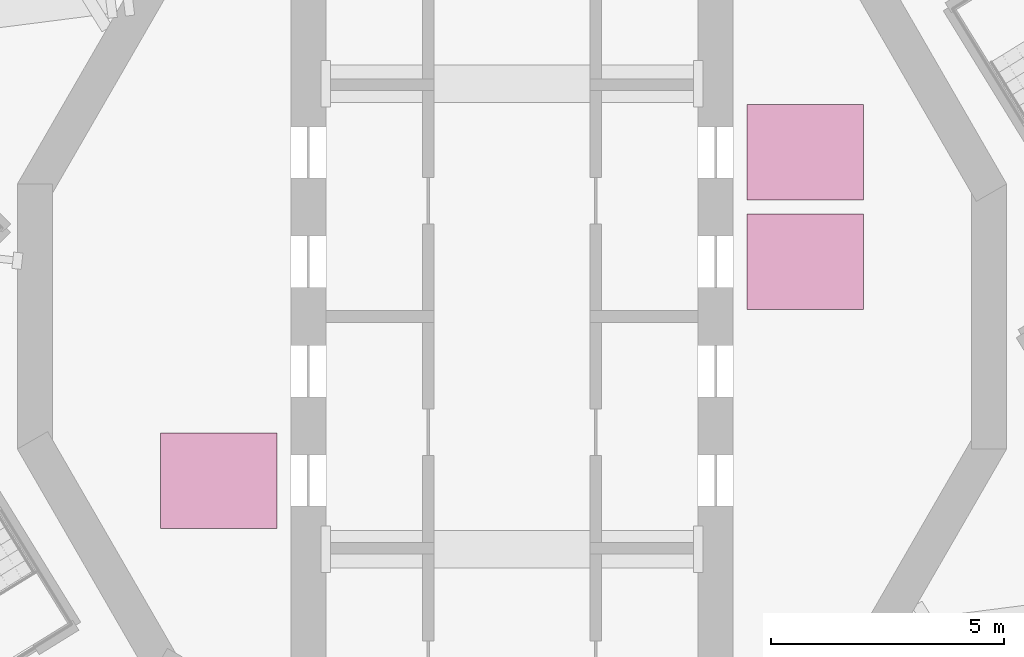
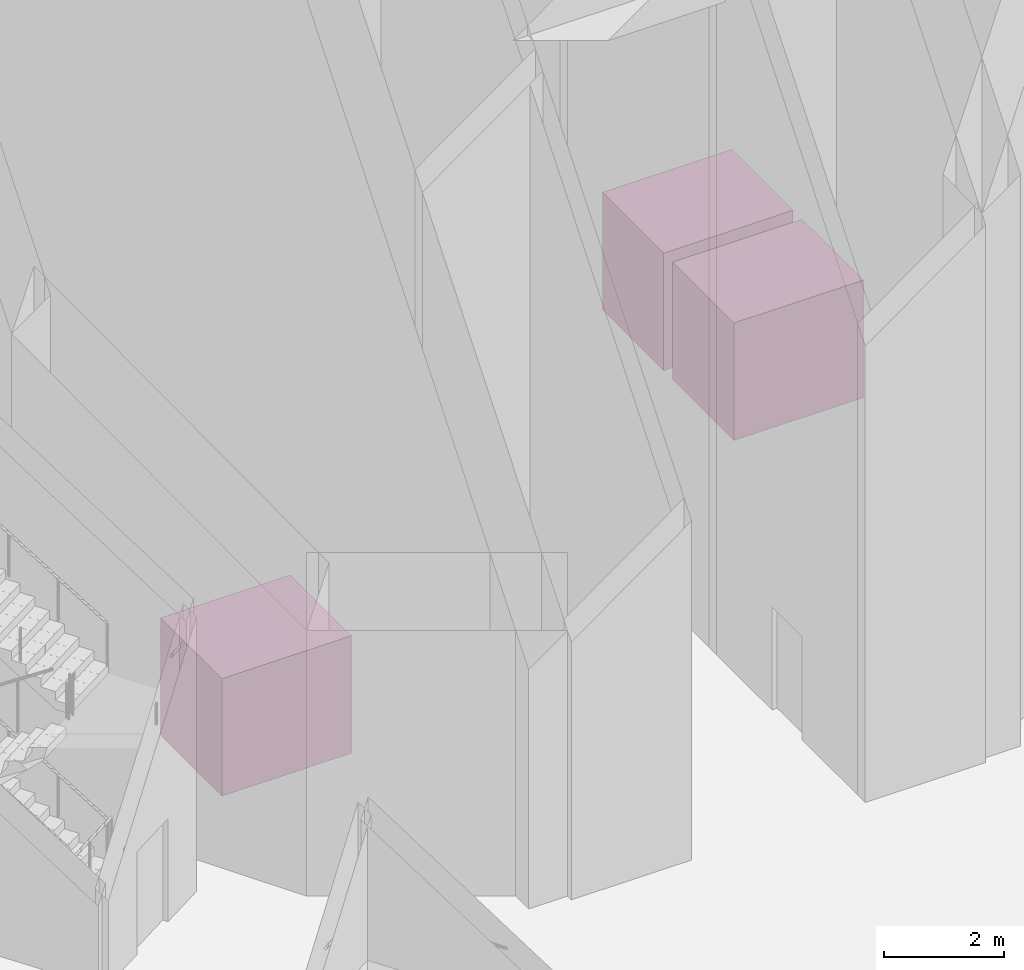
# One storey, part 15 of 15: 3 transport elements.
"""IFC4 building model written with IfcOpenShell, lengths in metres."""

from ifc_helpers import new_model, si_unit, direction, frame, origin, origin_2d, place, context, subcontext, project, spatial, rectangle, extrude, material, type_object, element, save


model = new_model("IFC4")

# Units and contexts
model_context = context("Model", 3, precision=1e-05, world=origin(), true_north=direction((0.0, 1.0)))
body_context = subcontext(model_context, "Body", "Model", "MODEL_VIEW")
ifc_project = project(units=[si_unit("LENGTHUNIT", "METRE"), si_unit("AREAUNIT", "SQUARE_METRE"), si_unit("VOLUMEUNIT", "CUBIC_METRE"), si_unit("PLANEANGLEUNIT", "RADIAN"), si_unit("MASSUNIT", "GRAM", prefix="KILO")], contexts=[model_context])

# Site, building, storey
site_placement = place(None, origin())
site = spatial("IfcSite", under=ifc_project, at=site_placement, CompositionType="ELEMENT")
building_placement = place(site_placement, origin())
building = spatial("IfcBuilding", under=site, at=building_placement, Name="Cantera Rosa Tower", CompositionType="ELEMENT")
storey_placement = place(building_placement, frame((0.0, 0.0, 189.39990234375)))
storey = spatial("IfcBuildingStorey", under=building, at=storey_placement, Name="L42", CompositionType="ELEMENT", Elevation=189.39990234375)

# Transport elements
ifc_material = material(Name="Stainless steel", Category="steel")
transport_element_type = type_object("IfcTransportElementType", Name="LIFT PASSENGER 1600 KG", PredefinedType="ELEVATOR", material=ifc_material)
for number, where, z_axis, x_axis, name in (
    (1, (6.300048828125, 1.175048828125, 0.000244140625), (0.0, 0.0, 1.0), (1.0, 0.0, 0.0), "LIFT P1"),
    (2, (6.300048828125, 3.52490234375, 0.000244140625), (0.0, 0.0, 1.0), (1.0, 0.0, 0.0), "LIFT P2"),
    (3, (-6.300048828125, -3.52490234375, 0.000244140625), (0.0, 0.0, 1.0), (1.0, 0.0, 0.0), "LIFT P3"),
):
    element("IfcTransportElement", number, at=place(storey_placement, frame(where, z_axis=z_axis, x_axis=x_axis)), inside=storey, type_object=transport_element_type, Name=name, PredefinedType="ELEVATOR", context=body_context, shape_type="SweptSolid", body=[
        extrude(rectangle(XDim=2.5, YDim=2.050048828125, at=origin_2d()), origin(), (0.0, 0.0, 1.0), 2.39990234375),
    ])

save(model, "model.ifc")
